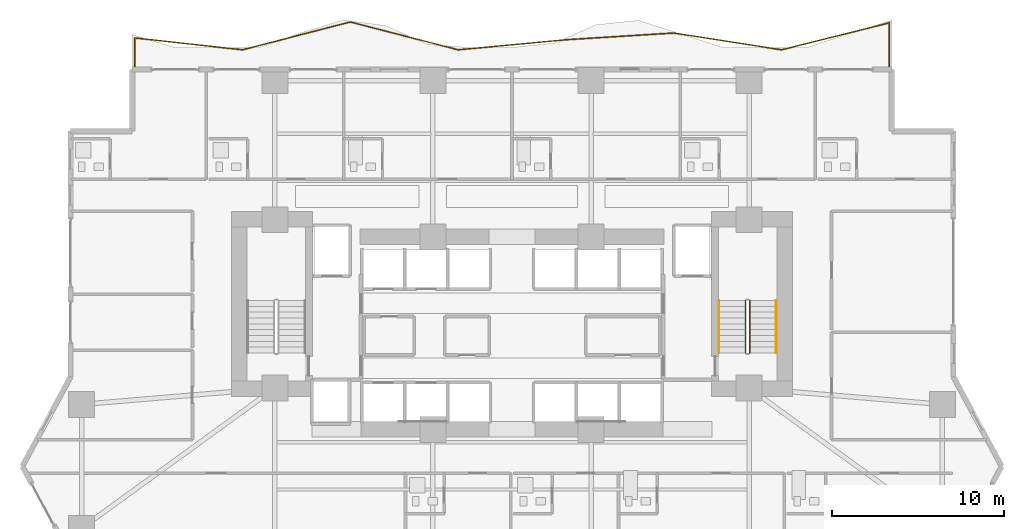
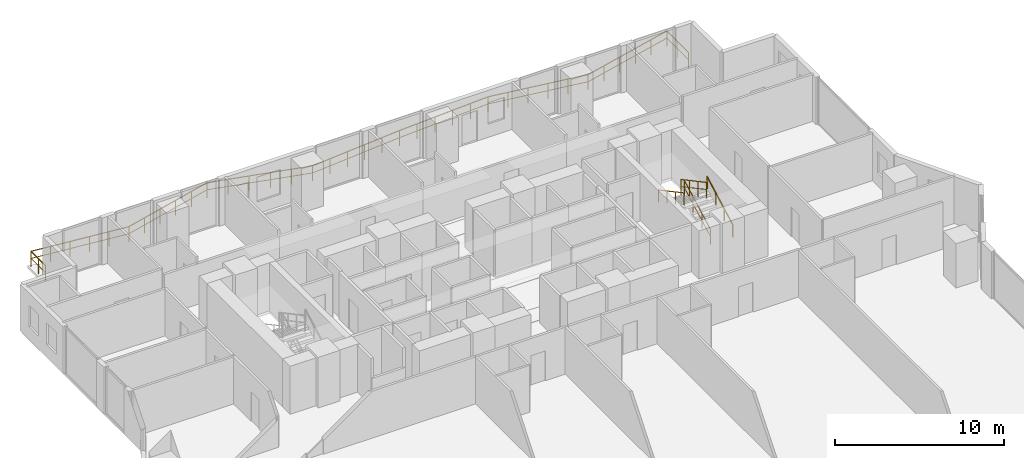
# One storey, part 28 of 30: 5 railings.
"""IFC4 building model written with IfcOpenShell, lengths in metres."""

from ifc_helpers import new_model, si_unit, direction, frame, origin, origin_2d, place, context, subcontext, project, spatial, rectangle, extrude, material, type_object, element, save


model = new_model("IFC4")

# Units and contexts
model_context = context("Model", 3, precision=1e-05, world=origin(), true_north=direction((0.0, 1.0)))
body_context = subcontext(model_context, "Body", "Model", "MODEL_VIEW")
ifc_project = project(units=[si_unit("LENGTHUNIT", "METRE"), si_unit("AREAUNIT", "SQUARE_METRE"), si_unit("VOLUMEUNIT", "CUBIC_METRE"), si_unit("PLANEANGLEUNIT", "RADIAN"), si_unit("MASSUNIT", "GRAM", prefix="KILO")], contexts=[model_context])

# Site, building, storey
site_placement = place(None, origin())
site = spatial("IfcSite", under=ifc_project, at=site_placement, CompositionType="ELEMENT")
building_placement = place(site_placement, origin())
building = spatial("IfcBuilding", under=site, at=building_placement, Name="Zuhayl Quay Hotel", CompositionType="ELEMENT")
storey_placement = place(building_placement, frame((0.0, 0.0, 86.0)))
storey = spatial("IfcBuildingStorey", under=building, at=storey_placement, Name="L21", CompositionType="ELEMENT", Elevation=86.0)

# Railings
ifc_material_1 = material(Name="Anodised Aluminium and Laminated Glass", Category="aluminium")
railing_type_1 = type_object("IfcRailingType", Name="RL_EXT_BAL_1100", PredefinedType="BALUSTRADE", material=ifc_material_1)
railing_1_placement = place(storey_placement, frame((-21.9599609375, 23.219970703125, 0.0)))
element("IfcRailing", 1, at=railing_1_placement, inside=storey, type_object=railing_type_1, Name="L21 Balcony and Terrace Guard GR_L21_BAL_N", PredefinedType="BALUSTRADE", context=body_context, shape_type="SweptSolid", body=[
    extrude(rectangle(XDim=0.048095703125, YDim=0.048095703125, at=origin_2d()), frame((0.0, 0.0, 1.09619140625), z_axis=(0.0, 1.0, 0.0), x_axis=(-1.0, 0.0, 0.0)), (0.0, 0.0, 1.0), 1.71044921875),
    extrude(rectangle(XDim=0.0361328125, YDim=0.0361328125, at=origin_2d()), frame((0.0, 0.0, 0.58251953125), z_axis=(0.0, 1.0, 0.0), x_axis=(-1.0, 0.0, 0.0)), (0.0, 0.0, 1.0), 1.71044921875),
    extrude(rectangle(XDim=0.048095703125, YDim=0.048095703125, at=origin_2d()), frame((0.0, 1.71044921875, 1.09619140625), z_axis=(0.993999688842, -0.109382898947, 0.0), x_axis=(0.109382898947, 0.993999688842, 0.0)), (0.0, 0.0, 1.0), 6.31201171875),
    extrude(rectangle(XDim=0.0361328125, YDim=0.0361328125, at=origin_2d()), frame((0.0, 1.71044921875, 0.58251953125), z_axis=(0.993999688842, -0.109382898947, 0.0), x_axis=(0.109382898947, 0.993999688842, 0.0)), (0.0, 0.0, 1.0), 6.31201171875),
    extrude(rectangle(XDim=0.048095703125, YDim=0.048095703125, at=origin_2d()), frame((6.274169921875, 1.02001953125, 1.09619140625), z_axis=(0.968288791081, 0.249833578742, 0.0), x_axis=(-0.249833578742, 0.968288791081, 0.0)), (0.0, 0.0, 1.0), 6.47998046875),
    extrude(rectangle(XDim=0.0361328125, YDim=0.0361328125, at=origin_2d()), frame((6.274169921875, 1.02001953125, 0.58251953125), z_axis=(0.968288791081, 0.249833578742, 0.0), x_axis=(-0.249833578742, 0.968288791081, 0.0)), (0.0, 0.0, 1.0), 6.47998046875),
    extrude(rectangle(XDim=0.048095703125, YDim=0.048095703125, at=origin_2d()), frame((12.548583984375, 2.638916015625, 1.09619140625), z_axis=(0.968286439298, -0.249842693451, 0.0), x_axis=(0.249842693451, 0.968286439298, 0.0)), (0.0, 0.0, 1.0), 6.479736328125),
    extrude(rectangle(XDim=0.0361328125, YDim=0.0361328125, at=origin_2d()), frame((12.548583984375, 2.638916015625, 0.58251953125), z_axis=(0.968286439298, -0.249842693451, 0.0), x_axis=(0.249842693451, 0.968286439298, 0.0)), (0.0, 0.0, 1.0), 6.479736328125),
    extrude(rectangle(XDim=0.048095703125, YDim=0.048095703125, at=origin_2d()), frame((18.82275390625, 1.02001953125, 1.09619140625), z_axis=(0.9957037085, 0.092596570557, 0.0), x_axis=(-0.092596570557, 0.9957037085, 0.0)), (0.0, 0.0, 1.0), 6.301513671875),
    extrude(rectangle(XDim=0.0361328125, YDim=0.0361328125, at=origin_2d()), frame((18.82275390625, 1.02001953125, 0.58251953125), z_axis=(0.9957037085, 0.092596570557, 0.0), x_axis=(-0.092596570557, 0.9957037085, 0.0)), (0.0, 0.0, 1.0), 6.301513671875),
    extrude(rectangle(XDim=0.048095703125, YDim=0.048095703125, at=origin_2d()), frame((25.09716796875, 1.603515625, 1.09619140625), z_axis=(0.998050613513, 0.062409717729, 0.0), x_axis=(-0.062409717729, 0.998050613513, 0.0)), (0.0, 0.0, 1.0), 6.286376953125),
    extrude(rectangle(XDim=0.0361328125, YDim=0.0361328125, at=origin_2d()), frame((25.09716796875, 1.603515625, 0.58251953125), z_axis=(0.998050613513, 0.062409717729, 0.0), x_axis=(-0.062409717729, 0.998050613513, 0.0)), (0.0, 0.0, 1.0), 6.286376953125),
    extrude(rectangle(XDim=0.048095703125, YDim=0.048095703125, at=origin_2d()), frame((31.371337890625, 1.995849609375, 1.09619140625), z_axis=(0.98812101039, -0.153677808503, 0.0), x_axis=(0.153677808503, 0.98812101039, 0.0)), (0.0, 0.0, 1.0), 6.349853515625),
    extrude(rectangle(XDim=0.0361328125, YDim=0.0361328125, at=origin_2d()), frame((31.371337890625, 1.995849609375, 0.58251953125), z_axis=(0.98812101039, -0.153677808503, 0.0), x_axis=(0.153677808503, 0.98812101039, 0.0)), (0.0, 0.0, 1.0), 6.349853515625),
    extrude(rectangle(XDim=0.048095703125, YDim=0.048095703125, at=origin_2d()), frame((37.645751953125, 1.02001953125, 1.09619140625), z_axis=(0.970175801143, 0.24240238216, 0.0), x_axis=(-0.24240238216, 0.970175801143, 0.0)), (0.0, 0.0, 1.0), 6.467041015625),
    extrude(rectangle(XDim=0.0361328125, YDim=0.0361328125, at=origin_2d()), frame((37.645751953125, 1.02001953125, 0.58251953125), z_axis=(0.970175801143, 0.24240238216, 0.0), x_axis=(-0.24240238216, 0.970175801143, 0.0)), (0.0, 0.0, 1.0), 6.467041015625),
    extrude(rectangle(XDim=0.048095703125, YDim=0.048095703125, at=origin_2d()), frame((43.919921875, 2.587646484375, 1.09619140625), z_axis=(0.0, -1.0, 0.0), x_axis=(1.0, 0.0, 0.0)), (0.0, 0.0, 1.0), 2.587646484375),
    extrude(rectangle(XDim=0.0361328125, YDim=0.0361328125, at=origin_2d()), frame((43.919921875, 2.587646484375, 0.58251953125), z_axis=(0.0, -1.0, 0.0), x_axis=(1.0, 0.0, 0.0)), (0.0, 0.0, 1.0), 2.587646484375),
    extrude(rectangle(XDim=0.0419921875, YDim=0.0419921875, at=origin_2d()), origin(), (0.0, 0.0, 1.0), 1.072021484375),
    extrude(rectangle(XDim=0.0419921875, YDim=0.0419921875, at=origin_2d()), frame((0.0, 0.855224609375, 0.0)), (0.0, 0.0, 1.0), 1.072021484375),
    extrude(rectangle(XDim=0.0419921875, YDim=0.0419921875, at=origin_2d()), frame((0.0, 1.71044921875, 0.0)), (0.0, 0.0, 1.0), 1.072021484375),
    extrude(rectangle(XDim=0.0419921875, YDim=0.0419921875, at=origin_2d()), frame((1.2548828125, 1.572265625, 0.0)), (0.0, 0.0, 1.0), 1.072021484375),
    extrude(rectangle(XDim=0.0419921875, YDim=0.0419921875, at=origin_2d()), frame((2.509765625, 1.434326171875, 0.0)), (0.0, 0.0, 1.0), 1.072021484375),
    extrude(rectangle(XDim=0.0419921875, YDim=0.0419921875, at=origin_2d()), frame((3.764404296875, 1.296142578125, 0.0)), (0.0, 0.0, 1.0), 1.072021484375),
    extrude(rectangle(XDim=0.0419921875, YDim=0.0419921875, at=origin_2d()), frame((5.019287109375, 1.158203125, 0.0)), (0.0, 0.0, 1.0), 1.072021484375),
    extrude(rectangle(XDim=0.0419921875, YDim=0.0419921875, at=origin_2d()), frame((6.274169921875, 1.02001953125, 0.0)), (0.0, 0.0, 1.0), 1.072021484375),
    extrude(rectangle(XDim=0.0419921875, YDim=0.0419921875, at=origin_2d()), frame((7.529052734375, 1.34375, 0.0)), (0.0, 0.0, 1.0), 1.072021484375),
    extrude(rectangle(XDim=0.0419921875, YDim=0.0419921875, at=origin_2d()), frame((8.783935546875, 1.66748046875, 0.0)), (0.0, 0.0, 1.0), 1.072021484375),
    extrude(rectangle(XDim=0.0419921875, YDim=0.0419921875, at=origin_2d()), frame((10.038818359375, 1.991455078125, 0.0)), (0.0, 0.0, 1.0), 1.072021484375),
    extrude(rectangle(XDim=0.0419921875, YDim=0.0419921875, at=origin_2d()), frame((11.293701171875, 2.315185546875, 0.0)), (0.0, 0.0, 1.0), 1.072021484375),
    extrude(rectangle(XDim=0.0419921875, YDim=0.0419921875, at=origin_2d()), frame((12.548583984375, 2.638916015625, 0.0)), (0.0, 0.0, 1.0), 1.072021484375),
    extrude(rectangle(XDim=0.0419921875, YDim=0.0419921875, at=origin_2d()), frame((13.803466796875, 2.315185546875, 0.0)), (0.0, 0.0, 1.0), 1.072021484375),
    extrude(rectangle(XDim=0.0419921875, YDim=0.0419921875, at=origin_2d()), frame((15.058349609375, 1.991455078125, 0.0)), (0.0, 0.0, 1.0), 1.072021484375),
    extrude(rectangle(XDim=0.0419921875, YDim=0.0419921875, at=origin_2d()), frame((16.31298828125, 1.66748046875, 0.0)), (0.0, 0.0, 1.0), 1.072021484375),
    extrude(rectangle(XDim=0.0419921875, YDim=0.0419921875, at=origin_2d()), frame((17.56787109375, 1.34375, 0.0)), (0.0, 0.0, 1.0), 1.072021484375),
    extrude(rectangle(XDim=0.0419921875, YDim=0.0419921875, at=origin_2d()), frame((18.82275390625, 1.02001953125, 0.0)), (0.0, 0.0, 1.0), 1.072021484375),
    extrude(rectangle(XDim=0.0419921875, YDim=0.0419921875, at=origin_2d()), frame((20.07763671875, 1.13671875, 0.0)), (0.0, 0.0, 1.0), 1.072021484375),
    extrude(rectangle(XDim=0.0419921875, YDim=0.0419921875, at=origin_2d()), frame((21.33251953125, 1.25341796875, 0.0)), (0.0, 0.0, 1.0), 1.072021484375),
    extrude(rectangle(XDim=0.0419921875, YDim=0.0419921875, at=origin_2d()), frame((22.58740234375, 1.3701171875, 0.0)), (0.0, 0.0, 1.0), 1.072021484375),
    extrude(rectangle(XDim=0.0419921875, YDim=0.0419921875, at=origin_2d()), frame((23.84228515625, 1.48681640625, 0.0)), (0.0, 0.0, 1.0), 1.072021484375),
    extrude(rectangle(XDim=0.0419921875, YDim=0.0419921875, at=origin_2d()), frame((25.09716796875, 1.603515625, 0.0)), (0.0, 0.0, 1.0), 1.072021484375),
    extrude(rectangle(XDim=0.0419921875, YDim=0.0419921875, at=origin_2d()), frame((26.35205078125, 1.681884765625, 0.0)), (0.0, 0.0, 1.0), 1.072021484375),
    extrude(rectangle(XDim=0.0419921875, YDim=0.0419921875, at=origin_2d()), frame((27.60693359375, 1.760498046875, 0.0)), (0.0, 0.0, 1.0), 1.072021484375),
    extrude(rectangle(XDim=0.0419921875, YDim=0.0419921875, at=origin_2d()), frame((28.861572265625, 1.8388671875, 0.0)), (0.0, 0.0, 1.0), 1.072021484375),
    extrude(rectangle(XDim=0.0419921875, YDim=0.0419921875, at=origin_2d()), frame((30.116455078125, 1.91748046875, 0.0)), (0.0, 0.0, 1.0), 1.072021484375),
    extrude(rectangle(XDim=0.0419921875, YDim=0.0419921875, at=origin_2d()), frame((31.371337890625, 1.995849609375, 0.0)), (0.0, 0.0, 1.0), 1.072021484375),
    extrude(rectangle(XDim=0.0419921875, YDim=0.0419921875, at=origin_2d()), frame((32.626220703125, 1.80078125, 0.0)), (0.0, 0.0, 1.0), 1.072021484375),
    extrude(rectangle(XDim=0.0419921875, YDim=0.0419921875, at=origin_2d()), frame((33.881103515625, 1.60546875, 0.0)), (0.0, 0.0, 1.0), 1.072021484375),
    extrude(rectangle(XDim=0.0419921875, YDim=0.0419921875, at=origin_2d()), frame((35.135986328125, 1.410400390625, 0.0)), (0.0, 0.0, 1.0), 1.072021484375),
    extrude(rectangle(XDim=0.0419921875, YDim=0.0419921875, at=origin_2d()), frame((36.390869140625, 1.215087890625, 0.0)), (0.0, 0.0, 1.0), 1.072021484375),
    extrude(rectangle(XDim=0.0419921875, YDim=0.0419921875, at=origin_2d()), frame((37.645751953125, 1.02001953125, 0.0)), (0.0, 0.0, 1.0), 1.072021484375),
    extrude(rectangle(XDim=0.0419921875, YDim=0.0419921875, at=origin_2d()), frame((38.900634765625, 1.33349609375, 0.0)), (0.0, 0.0, 1.0), 1.072021484375),
    extrude(rectangle(XDim=0.0419921875, YDim=0.0419921875, at=origin_2d()), frame((40.155517578125, 1.64697265625, 0.0)), (0.0, 0.0, 1.0), 1.072021484375),
    extrude(rectangle(XDim=0.0419921875, YDim=0.0419921875, at=origin_2d()), frame((41.41015625, 1.960693359375, 0.0)), (0.0, 0.0, 1.0), 1.072021484375),
    extrude(rectangle(XDim=0.0419921875, YDim=0.0419921875, at=origin_2d()), frame((42.6650390625, 2.274169921875, 0.0)), (0.0, 0.0, 1.0), 1.072021484375),
    extrude(rectangle(XDim=0.0419921875, YDim=0.0419921875, at=origin_2d()), frame((43.919921875, 2.587646484375, 0.0)), (0.0, 0.0, 1.0), 1.072021484375),
    extrude(rectangle(XDim=0.0419921875, YDim=0.0419921875, at=origin_2d()), frame((43.919921875, 1.2939453125, 0.0)), (0.0, 0.0, 1.0), 1.072021484375),
    extrude(rectangle(XDim=0.0419921875, YDim=0.0419921875, at=origin_2d()), frame((43.919921875, 0.0, 0.0)), (0.0, 0.0, 1.0), 1.072021484375),
])
ifc_material_2 = material(Name="Steel ASTM A992 Grade 50", Category="steel")
railing_type_2 = type_object("IfcRailingType", Name="RL_GUARD_1100", PredefinedType="GUARDRAIL", material=ifc_material_2)
railing_2_placement = place(storey_placement, frame((13.840087890625, 6.590087890625, 0.1826171875)))
element("IfcRailing", 2, at=railing_2_placement, inside=storey, type_object=railing_type_2, Name="L21 ST2 stair guard 1", PredefinedType="GUARDRAIL", context=body_context, shape_type="SweptSolid", body=[
    extrude(rectangle(XDim=0.048095703125, YDim=0.048095703125, at=origin_2d()), frame((0.0, 0.0, 1.09619140625), z_axis=(0.0, 0.881102395774, 0.472925541879), x_axis=(-1.0, 0.0, 0.0)), (0.0, 0.0, 1.0), 3.47265625),
    extrude(rectangle(XDim=0.0361328125, YDim=0.0361328125, at=origin_2d()), frame((0.0, 0.0, 0.58251953125), z_axis=(0.0, 0.881102395774, 0.472925541879), x_axis=(-1.0, 0.0, 0.0)), (0.0, 0.0, 1.0), 3.47265625),
    extrude(rectangle(XDim=0.0419921875, YDim=0.0419921875, at=origin_2d()), origin(), (0.0, 0.0, 1.0), 1.072021484375),
    extrude(rectangle(XDim=0.0419921875, YDim=0.0419921875, at=origin_2d()), frame((0.0, 1.02001953125, 0.54736328125)), (0.0, 0.0, 1.0), 1.072021484375),
    extrude(rectangle(XDim=0.0419921875, YDim=0.0419921875, at=origin_2d()), frame((0.0, 2.039794921875, 1.094970703125)), (0.0, 0.0, 1.0), 1.072021484375),
    extrude(rectangle(XDim=0.0419921875, YDim=0.0419921875, at=origin_2d()), frame((0.0, 3.059814453125, 1.642333984375)), (0.0, 0.0, 1.0), 1.072021484375),
])
railing_3_placement = place(storey_placement, frame((13.590087890625, 9.64990234375, 2.007568359375)))
element("IfcRailing", 3, at=railing_3_placement, inside=storey, type_object=railing_type_2, Name="L21 ST2 stair guard 3", PredefinedType="GUARDRAIL", context=body_context, shape_type="SweptSolid", body=[
    extrude(rectangle(XDim=0.048095703125, YDim=0.048095703125, at=origin_2d()), frame((0.0, 0.0, 1.09619140625), z_axis=(0.0, -0.881102395774, 0.472925541879), x_axis=(1.0, 0.0, 0.0)), (0.0, 0.0, 1.0), 3.47265625),
    extrude(rectangle(XDim=0.0361328125, YDim=0.0361328125, at=origin_2d()), frame((0.0, 0.0, 0.58251953125), z_axis=(0.0, -0.881102395774, 0.472925541879), x_axis=(1.0, 0.0, 0.0)), (0.0, 0.0, 1.0), 3.47265625),
    extrude(rectangle(XDim=0.0419921875, YDim=0.0419921875, at=origin_2d()), origin(), (0.0, 0.0, 1.0), 1.072021484375),
    extrude(rectangle(XDim=0.0419921875, YDim=0.0419921875, at=origin_2d()), frame((0.0, -1.02001953125, 0.54736328125)), (0.0, 0.0, 1.0), 1.072021484375),
    extrude(rectangle(XDim=0.0419921875, YDim=0.0419921875, at=origin_2d()), frame((0.0, -2.039794921875, 1.094970703125)), (0.0, 0.0, 1.0), 1.072021484375),
    extrude(rectangle(XDim=0.0419921875, YDim=0.0419921875, at=origin_2d()), frame((0.0, -3.059814453125, 1.642333984375)), (0.0, 0.0, 1.0), 1.072021484375),
])
railing_type_3 = type_object("IfcRailingType", Name="RL_HANDRAIL_920", PredefinedType="HANDRAIL", material=ifc_material_2)
railing_4_placement = place(storey_placement, frame((15.3798828125, 6.590087890625, 0.1826171875)))
element("IfcRailing", 4, at=railing_4_placement, inside=storey, type_object=railing_type_3, Name="L21 ST2 stair handrail 1", PredefinedType="HANDRAIL", context=body_context, shape_type="SweptSolid", body=[
    extrude(rectangle(XDim=0.048095703125, YDim=0.048095703125, at=origin_2d()), frame((0.0, 0.0, 0.8759765625), z_axis=(0.0, 0.881102395774, 0.472925541879), x_axis=(-1.0, 0.0, 0.0)), (0.0, 0.0, 1.0), 3.47265625),
    extrude(rectangle(XDim=0.0419921875, YDim=0.0419921875, at=origin_2d()), origin(), (0.0, 0.0, 1.0), 0.851806640625),
    extrude(rectangle(XDim=0.0419921875, YDim=0.0419921875, at=origin_2d()), frame((0.0, 1.02001953125, 0.54736328125)), (0.0, 0.0, 1.0), 0.851806640625),
    extrude(rectangle(XDim=0.0419921875, YDim=0.0419921875, at=origin_2d()), frame((0.0, 2.039794921875, 1.094970703125)), (0.0, 0.0, 1.0), 0.851806640625),
    extrude(rectangle(XDim=0.0419921875, YDim=0.0419921875, at=origin_2d()), frame((0.0, 3.059814453125, 1.642333984375)), (0.0, 0.0, 1.0), 0.851806640625),
])
railing_5_placement = place(storey_placement, frame((12.050048828125, 9.64990234375, 2.007568359375)))
element("IfcRailing", 5, at=railing_5_placement, inside=storey, type_object=railing_type_3, Name="L21 ST2 stair handrail 2", PredefinedType="HANDRAIL", context=body_context, shape_type="SweptSolid", body=[
    extrude(rectangle(XDim=0.048095703125, YDim=0.048095703125, at=origin_2d()), frame((0.0, 0.0, 0.8759765625), z_axis=(0.0, -0.881102395774, 0.472925541879), x_axis=(1.0, 0.0, 0.0)), (0.0, 0.0, 1.0), 3.47265625),
    extrude(rectangle(XDim=0.0419921875, YDim=0.0419921875, at=origin_2d()), origin(), (0.0, 0.0, 1.0), 0.851806640625),
    extrude(rectangle(XDim=0.0419921875, YDim=0.0419921875, at=origin_2d()), frame((0.0, -1.02001953125, 0.54736328125)), (0.0, 0.0, 1.0), 0.851806640625),
    extrude(rectangle(XDim=0.0419921875, YDim=0.0419921875, at=origin_2d()), frame((0.0, -2.039794921875, 1.094970703125)), (0.0, 0.0, 1.0), 0.851806640625),
    extrude(rectangle(XDim=0.0419921875, YDim=0.0419921875, at=origin_2d()), frame((0.0, -3.059814453125, 1.642333984375)), (0.0, 0.0, 1.0), 0.851806640625),
])

save(model, "model.ifc")
